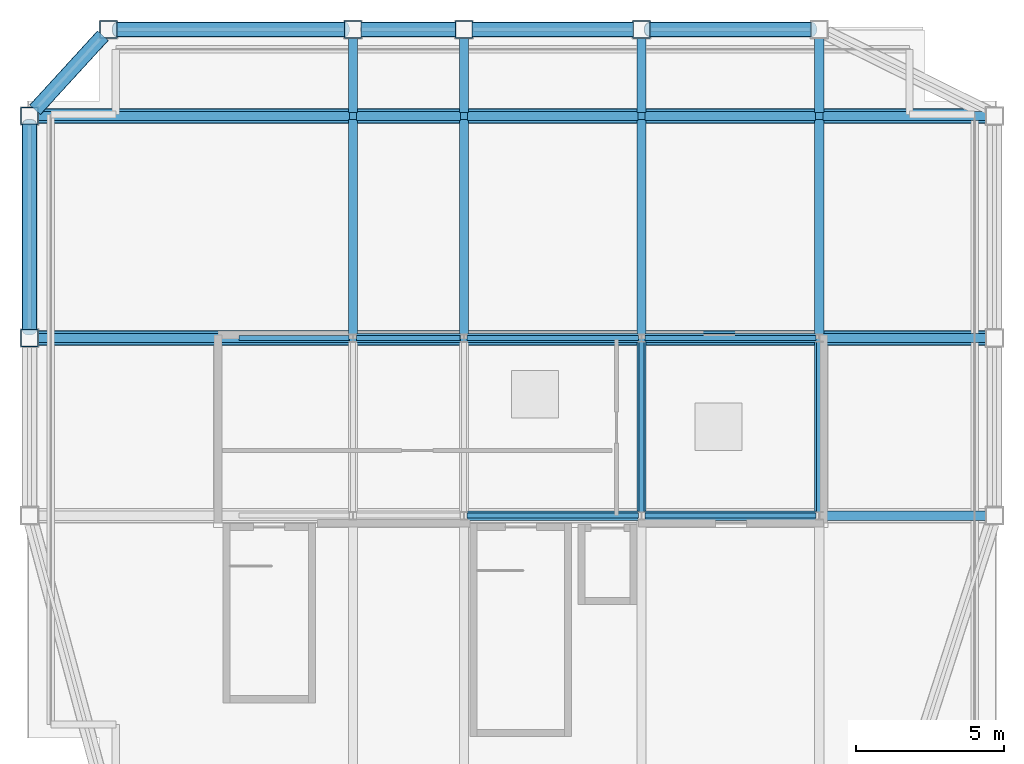
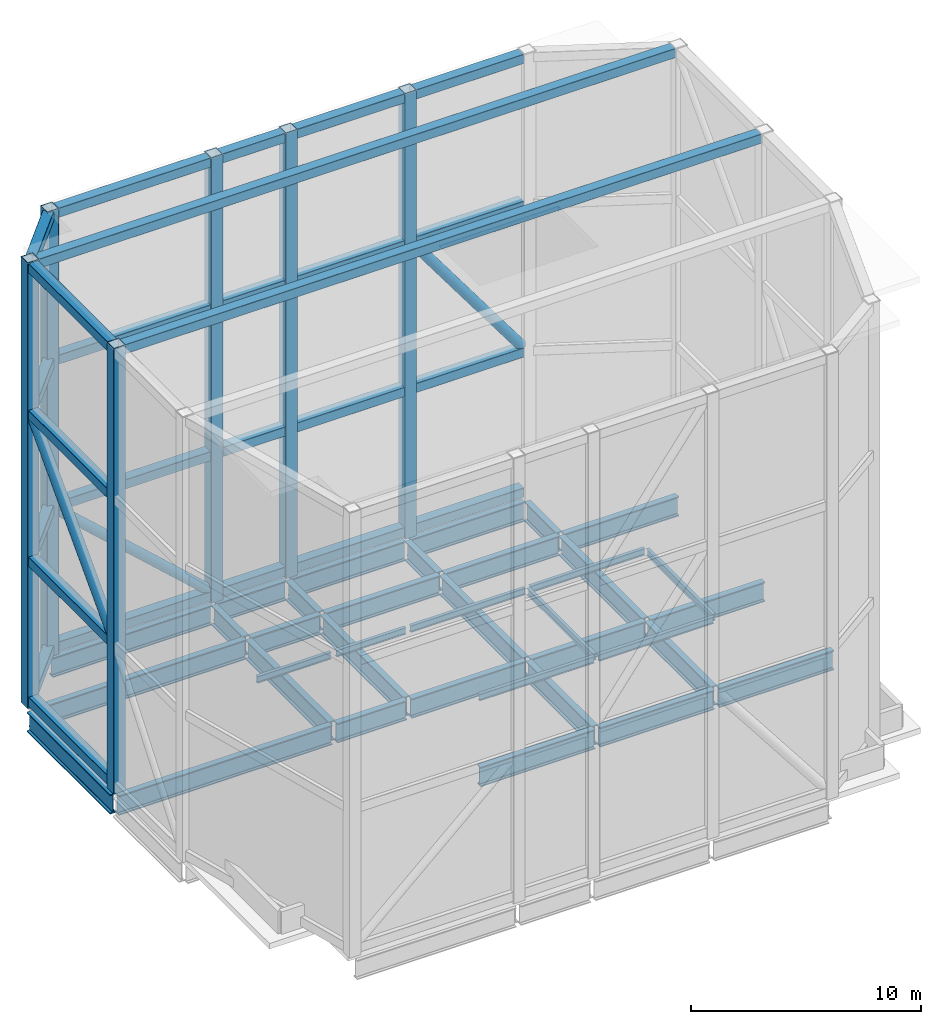
# One storey, part 2 of 6: 36 beams, 35 members.
"""IFC4 building model written with IfcOpenShell, lengths in metres."""

from ifc_helpers import new_model, si_unit, direction, frame, origin, origin_2d, place, context, subcontext, project, spatial, hollow_rectangle, hollow_circle, i_section, extrude, material, material_profile, profile_set, type_object, element, save


model = new_model("IFC4")

# Units and contexts
model_context = context("Model", 3, precision=1e-05, world=origin(), true_north=direction((0.0, 1.0)))
body_context = subcontext(model_context, "Body", "Model", "MODEL_VIEW")
ifc_project = project(units=[si_unit("LENGTHUNIT", "METRE"), si_unit("AREAUNIT", "SQUARE_METRE"), si_unit("VOLUMEUNIT", "CUBIC_METRE"), si_unit("PLANEANGLEUNIT", "RADIAN"), si_unit("MASSUNIT", "GRAM", prefix="KILO")], contexts=[model_context])

# Site, building, storey
site_placement = place(None, origin())
site = spatial("IfcSite", under=ifc_project, at=site_placement, CompositionType="ELEMENT")
building_placement = place(site_placement, origin())
building = spatial("IfcBuilding", under=site, at=building_placement, Name="Brevholm Reach", CompositionType="ELEMENT")
storey_placement = place(building_placement, frame((0.0, 0.0, 251.449951171875)))
storey = spatial("IfcBuildingStorey", under=building, at=storey_placement, Name="RF", CompositionType="ELEMENT", Elevation=251.449951171875)

# Beams
ifc_material_1 = material(Name="Structural Steel S355J2", Category="steel")
ifc_material_profile_1 = material_profile(ifc_material_1, i_section(OverallWidth=0.17138671875, OverallDepth=0.35498046875, WebThickness=0.00732421875, FlangeThickness=0.011474609375, FilletRadius=0.01025390625, at=origin_2d()), Name="UKB 356x171x51")
ifc_profile_set_1 = profile_set([ifc_material_profile_1], Name="Structural Steel S355J2")
beam_type_1 = type_object("IfcBeamType", Name="BM-B356", PredefinedType="BEAM", material=ifc_profile_set_1)
for number, where, z_axis, x_axis, name in (
    (1, (42.110107421875, 10.0, 3.362548828125), (1.0, 0.0, 0.0), (0.0, 1.0, 0.0), "RF Rooftop Plant House Roof Beam"),
    (2, (48.110107421875, 10.0, 3.362548828125), (1.0, 0.0, 0.0), (0.0, 1.0, 0.0), "RF Rooftop Plant House Roof Beam"),
):
    element("IfcBeam", number, at=place(storey_placement, frame(where, z_axis=z_axis, x_axis=x_axis)), inside=storey, type_object=beam_type_1, Name=name, PredefinedType="BEAM", context=body_context, shape_type="SweptSolid", body=[
        extrude(i_section(OverallWidth=0.17138671875, OverallDepth=0.35498046875, WebThickness=0.00732421875, FlangeThickness=0.011474609375, FilletRadius=0.01025390625, at=origin_2d()), origin(), (0.0, 0.0, 1.0), 5.77978515625),
    ])
beam_1_placement = place(storey_placement, frame((34.39990234375, 16.0, 3.362548828125), z_axis=(1.0, 0.0, 0.0), x_axis=(0.0, 1.0, 0.0)))
element("IfcBeam", 3, at=beam_1_placement, inside=storey, type_object=beam_type_1, Name="RF Rooftop Plant House Roof Beam", PredefinedType="BEAM", context=body_context, shape_type="SweptSolid", body=[
    extrude(i_section(OverallWidth=0.17138671875, OverallDepth=0.35498046875, WebThickness=0.00732421875, FlangeThickness=0.011474609375, FilletRadius=0.01025390625, at=origin_2d()), origin(), (0.0, 0.0, 1.0), 3.72021484375),
])
beam_2_placement = place(storey_placement, frame((38.3798828125, 16.0, 3.362548828125), z_axis=(1.0, 0.0, 0.0), x_axis=(0.0, 1.0, 0.0)))
element("IfcBeam", 4, at=beam_2_placement, inside=storey, type_object=beam_type_1, Name="RF Rooftop Plant House Roof Beam", PredefinedType="BEAM", context=body_context, shape_type="SweptSolid", body=[
    extrude(i_section(OverallWidth=0.17138671875, OverallDepth=0.35498046875, WebThickness=0.00732421875, FlangeThickness=0.011474609375, FilletRadius=0.01025390625, at=origin_2d()), origin(), (0.0, 0.0, 1.0), 3.490234375),
])
for number, where, z_axis, x_axis, name in (
    (5, (42.110107421875, 16.0, 3.362548828125), (1.0, 0.0, 0.0), (0.0, 1.0, 0.0), "RF Rooftop Plant House Roof Beam"),
    (6, (48.110107421875, 16.0, 3.362548828125), (1.0, 0.0, 0.0), (0.0, 1.0, 0.0), "RF Rooftop Plant House Roof Beam"),
    (7, (48.0, 10.110107421875, 3.362548828125), (0.0, 1.0, 0.0), (-1.0, 0.0, 0.0), "RF Rooftop Plant House Transverse Beam"),
    (8, (54.0, 10.110107421875, 3.362548828125), (0.0, 1.0, 0.0), (-1.0, 0.0, 0.0), "RF Rooftop Plant House Transverse Beam"),
):
    element("IfcBeam", number, at=place(storey_placement, frame(where, z_axis=z_axis, x_axis=x_axis)), inside=storey, type_object=beam_type_1, Name=name, PredefinedType="BEAM", context=body_context, shape_type="SweptSolid", body=[
        extrude(i_section(OverallWidth=0.17138671875, OverallDepth=0.35498046875, WebThickness=0.00732421875, FlangeThickness=0.011474609375, FilletRadius=0.01025390625, at=origin_2d()), origin(), (0.0, 0.0, 1.0), 5.77978515625),
    ])
ifc_material_2 = material(Name="Structural Steel S460ML", Category="steel")
ifc_material_profile_2 = material_profile(ifc_material_2, i_section(OverallWidth=0.30859375, OverallDepth=1.036376953125, WebThickness=0.030029296875, FlangeThickness=0.05419921875, FilletRadius=0.030029296875, at=origin_2d()), Name="UKB 1016x305x487")
ifc_profile_set_2 = profile_set([ifc_material_profile_2], Name="Structural Steel S460ML")
beam_type_2 = type_object("IfcBeamType", Name="BM-UKB1016", PredefinedType="USERDEFINED", material=ifc_profile_set_2)
for number, where, z_axis, x_axis, name in (
    (9, (42.1201171875, 10.0, -0.818115234375), (1.0, 0.0, 0.0), (0.0, 1.0, 0.0), "RF G-01 Framing Beam"),
    (10, (48.1201171875, 10.0, -0.818115234375), (1.0, 0.0, 0.0), (0.0, 1.0, 0.0), "RF G-01 Framing Beam"),
    (11, (54.1201171875, 10.0, -0.818115234375), (1.0, 0.0, 0.0), (0.0, 1.0, 0.0), "RF G-01 Framing Beam"),
):
    element("IfcBeam", number, at=place(storey_placement, frame(where, z_axis=z_axis, x_axis=x_axis)), inside=storey, type_object=beam_type_2, Name=name, ObjectType="GIRDER", PredefinedType="USERDEFINED", context=body_context, shape_type="SweptSolid", body=[
        extrude(i_section(OverallWidth=0.30859375, OverallDepth=1.036376953125, WebThickness=0.030029296875, FlangeThickness=0.05419921875, FilletRadius=0.030029296875, at=origin_2d()), origin(), (0.0, 0.0, 1.0), 5.759765625),
    ])
beam_3_placement = place(storey_placement, frame((27.3701171875, 16.0, -0.818115234375), z_axis=(1.0, 0.0, 0.0), x_axis=(0.0, 1.0, 0.0)))
element("IfcBeam", 12, at=beam_3_placement, inside=storey, type_object=beam_type_2, Name="RF G-01 Framing Beam", ObjectType="GIRDER", PredefinedType="USERDEFINED", context=body_context, shape_type="SweptSolid", body=[
    extrude(i_section(OverallWidth=0.30859375, OverallDepth=1.036376953125, WebThickness=0.030029296875, FlangeThickness=0.05419921875, FilletRadius=0.030029296875, at=origin_2d()), origin(), (0.0, 0.0, 1.0), 10.759765625),
])
beam_4_placement = place(storey_placement, frame((38.3701171875, 16.0, -0.818115234375), z_axis=(1.0, 0.0, 0.0), x_axis=(0.0, 1.0, 0.0)))
element("IfcBeam", 13, at=beam_4_placement, inside=storey, type_object=beam_type_2, Name="RF G-01 Framing Beam", ObjectType="GIRDER", PredefinedType="USERDEFINED", context=body_context, shape_type="SweptSolid", body=[
    extrude(i_section(OverallWidth=0.30859375, OverallDepth=1.036376953125, WebThickness=0.030029296875, FlangeThickness=0.05419921875, FilletRadius=0.030029296875, at=origin_2d()), origin(), (0.0, 0.0, 1.0), 3.509765625),
])
for number, where, z_axis, x_axis, name in (
    (14, (42.1201171875, 16.0, -0.818115234375), (1.0, 0.0, 0.0), (0.0, 1.0, 0.0), "RF G-01 Framing Beam"),
    (15, (48.1201171875, 16.0, -0.818115234375), (1.0, 0.0, 0.0), (0.0, 1.0, 0.0), "RF G-01 Framing Beam"),
    (16, (54.1201171875, 16.0, -0.818115234375), (1.0, 0.0, 0.0), (0.0, 1.0, 0.0), "RF G-01 Framing Beam"),
):
    element("IfcBeam", number, at=place(storey_placement, frame(where, z_axis=z_axis, x_axis=x_axis)), inside=storey, type_object=beam_type_2, Name=name, ObjectType="GIRDER", PredefinedType="USERDEFINED", context=body_context, shape_type="SweptSolid", body=[
        extrude(i_section(OverallWidth=0.30859375, OverallDepth=1.036376953125, WebThickness=0.030029296875, FlangeThickness=0.05419921875, FilletRadius=0.030029296875, at=origin_2d()), origin(), (0.0, 0.0, 1.0), 5.759765625),
    ])
beam_5_placement = place(storey_placement, frame((27.3701171875, 23.5, -0.818115234375), z_axis=(1.0, 0.0, 0.0), x_axis=(0.0, 1.0, 0.0)))
element("IfcBeam", 17, at=beam_5_placement, inside=storey, type_object=beam_type_2, Name="RF G-01 Framing Beam", ObjectType="GIRDER", PredefinedType="USERDEFINED", context=body_context, shape_type="SweptSolid", body=[
    extrude(i_section(OverallWidth=0.30859375, OverallDepth=1.036376953125, WebThickness=0.030029296875, FlangeThickness=0.05419921875, FilletRadius=0.030029296875, at=origin_2d()), origin(), (0.0, 0.0, 1.0), 10.759765625),
])
beam_6_placement = place(storey_placement, frame((38.3701171875, 23.5, -0.818115234375), z_axis=(1.0, 0.0, 0.0), x_axis=(0.0, 1.0, 0.0)))
element("IfcBeam", 18, at=beam_6_placement, inside=storey, type_object=beam_type_2, Name="RF G-01 Framing Beam", ObjectType="GIRDER", PredefinedType="USERDEFINED", context=body_context, shape_type="SweptSolid", body=[
    extrude(i_section(OverallWidth=0.30859375, OverallDepth=1.036376953125, WebThickness=0.030029296875, FlangeThickness=0.05419921875, FilletRadius=0.030029296875, at=origin_2d()), origin(), (0.0, 0.0, 1.0), 3.509765625),
])
for number, where, z_axis, x_axis, name in (
    (19, (42.1201171875, 23.5, -0.818115234375), (1.0, 0.0, 0.0), (0.0, 1.0, 0.0), "RF G-01 Framing Beam"),
    (20, (48.1201171875, 23.5, -0.818115234375), (1.0, 0.0, 0.0), (0.0, 1.0, 0.0), "RF G-01 Framing Beam"),
    (21, (54.1201171875, 23.5, -0.818115234375), (1.0, 0.0, 0.0), (0.0, 1.0, 0.0), "RF G-01 Framing Beam"),
):
    element("IfcBeam", number, at=place(storey_placement, frame(where, z_axis=z_axis, x_axis=x_axis)), inside=storey, type_object=beam_type_2, Name=name, ObjectType="GIRDER", PredefinedType="USERDEFINED", context=body_context, shape_type="SweptSolid", body=[
        extrude(i_section(OverallWidth=0.30859375, OverallDepth=1.036376953125, WebThickness=0.030029296875, FlangeThickness=0.05419921875, FilletRadius=0.030029296875, at=origin_2d()), origin(), (0.0, 0.0, 1.0), 5.759765625),
    ])
beam_7_placement = place(storey_placement, frame((30.1201171875, 26.5, -0.818115234375), z_axis=(1.0, 0.0, 0.0), x_axis=(0.0, 1.0, 0.0)))
element("IfcBeam", 22, at=beam_7_placement, inside=storey, type_object=beam_type_2, Name="RF G-01 Framing Beam", ObjectType="GIRDER", PredefinedType="USERDEFINED", context=body_context, shape_type="SweptSolid", body=[
    extrude(i_section(OverallWidth=0.30859375, OverallDepth=1.036376953125, WebThickness=0.030029296875, FlangeThickness=0.05419921875, FilletRadius=0.030029296875, at=origin_2d()), origin(), (0.0, 0.0, 1.0), 8.009765625),
])
beam_8_placement = place(storey_placement, frame((38.3701171875, 26.5, -0.818115234375), z_axis=(1.0, 0.0, 0.0), x_axis=(0.0, 1.0, 0.0)))
element("IfcBeam", 23, at=beam_8_placement, inside=storey, type_object=beam_type_2, Name="RF G-01 Framing Beam", ObjectType="GIRDER", PredefinedType="USERDEFINED", context=body_context, shape_type="SweptSolid", body=[
    extrude(i_section(OverallWidth=0.30859375, OverallDepth=1.036376953125, WebThickness=0.030029296875, FlangeThickness=0.05419921875, FilletRadius=0.030029296875, at=origin_2d()), origin(), (0.0, 0.0, 1.0), 3.509765625),
])
for number, where, z_axis, x_axis, name in (
    (24, (42.1201171875, 26.5, -0.818115234375), (1.0, 0.0, 0.0), (0.0, 1.0, 0.0), "RF G-01 Framing Beam"),
    (25, (48.1201171875, 26.5, -0.818115234375), (1.0, 0.0, 0.0), (0.0, 1.0, 0.0), "RF G-01 Framing Beam"),
):
    element("IfcBeam", number, at=place(storey_placement, frame(where, z_axis=z_axis, x_axis=x_axis)), inside=storey, type_object=beam_type_2, Name=name, ObjectType="GIRDER", PredefinedType="USERDEFINED", context=body_context, shape_type="SweptSolid", body=[
        extrude(i_section(OverallWidth=0.30859375, OverallDepth=1.036376953125, WebThickness=0.030029296875, FlangeThickness=0.05419921875, FilletRadius=0.030029296875, at=origin_2d()), origin(), (0.0, 0.0, 1.0), 5.759765625),
    ])
for number, where, z_axis, x_axis, name in (
    (26, (27.25, 16.1201171875, -0.818115234375), (0.0, 1.0, 0.0), (-1.0, 0.0, 0.0), "RF G-01 Framing Beam"),
    (27, (38.25, 16.1201171875, -0.818115234375), (0.0, 1.0, 0.0), (-1.0, 0.0, 0.0), "RF G-01 Framing Beam"),
):
    element("IfcBeam", number, at=place(storey_placement, frame(where, z_axis=z_axis, x_axis=x_axis)), inside=storey, type_object=beam_type_2, Name=name, ObjectType="GIRDER", PredefinedType="USERDEFINED", context=body_context, shape_type="SweptSolid", body=[
        extrude(i_section(OverallWidth=0.30859375, OverallDepth=1.036376953125, WebThickness=0.030029296875, FlangeThickness=0.05419921875, FilletRadius=0.030029296875, at=origin_2d()), origin(), (0.0, 0.0, 1.0), 7.259765625),
    ])
beam_9_placement = place(storey_placement, frame((38.25, 23.6201171875, -0.818115234375), z_axis=(0.0, 1.0, 0.0), x_axis=(-1.0, 0.0, 0.0)))
element("IfcBeam", 28, at=beam_9_placement, inside=storey, type_object=beam_type_2, Name="RF G-01 Framing Beam", ObjectType="GIRDER", PredefinedType="USERDEFINED", context=body_context, shape_type="SweptSolid", body=[
    extrude(i_section(OverallWidth=0.30859375, OverallDepth=1.036376953125, WebThickness=0.030029296875, FlangeThickness=0.05419921875, FilletRadius=0.030029296875, at=origin_2d()), origin(), (0.0, 0.0, 1.0), 2.759765625),
])
beam_10_placement = place(storey_placement, frame((42.0, 16.1201171875, -0.818115234375), z_axis=(0.0, 1.0, 0.0), x_axis=(-1.0, 0.0, 0.0)))
element("IfcBeam", 29, at=beam_10_placement, inside=storey, type_object=beam_type_2, Name="RF G-01 Framing Beam", ObjectType="GIRDER", PredefinedType="USERDEFINED", context=body_context, shape_type="SweptSolid", body=[
    extrude(i_section(OverallWidth=0.30859375, OverallDepth=1.036376953125, WebThickness=0.030029296875, FlangeThickness=0.05419921875, FilletRadius=0.030029296875, at=origin_2d()), origin(), (0.0, 0.0, 1.0), 7.259765625),
])
beam_11_placement = place(storey_placement, frame((42.0, 23.6201171875, -0.818115234375), z_axis=(0.0, 1.0, 0.0), x_axis=(-1.0, 0.0, 0.0)))
element("IfcBeam", 30, at=beam_11_placement, inside=storey, type_object=beam_type_2, Name="RF G-01 Framing Beam", ObjectType="GIRDER", PredefinedType="USERDEFINED", context=body_context, shape_type="SweptSolid", body=[
    extrude(i_section(OverallWidth=0.30859375, OverallDepth=1.036376953125, WebThickness=0.030029296875, FlangeThickness=0.05419921875, FilletRadius=0.030029296875, at=origin_2d()), origin(), (0.0, 0.0, 1.0), 2.759765625),
])
beam_12_placement = place(storey_placement, frame((48.0, 10.1201171875, -0.818115234375), z_axis=(0.0, 1.0, 0.0), x_axis=(-1.0, 0.0, 0.0)))
element("IfcBeam", 31, at=beam_12_placement, inside=storey, type_object=beam_type_2, Name="RF G-01 Framing Beam", ObjectType="GIRDER", PredefinedType="USERDEFINED", context=body_context, shape_type="SweptSolid", body=[
    extrude(i_section(OverallWidth=0.30859375, OverallDepth=1.036376953125, WebThickness=0.030029296875, FlangeThickness=0.05419921875, FilletRadius=0.030029296875, at=origin_2d()), origin(), (0.0, 0.0, 1.0), 5.759765625),
])
beam_13_placement = place(storey_placement, frame((48.0, 16.1201171875, -0.818115234375), z_axis=(0.0, 1.0, 0.0), x_axis=(-1.0, 0.0, 0.0)))
element("IfcBeam", 32, at=beam_13_placement, inside=storey, type_object=beam_type_2, Name="RF G-01 Framing Beam", ObjectType="GIRDER", PredefinedType="USERDEFINED", context=body_context, shape_type="SweptSolid", body=[
    extrude(i_section(OverallWidth=0.30859375, OverallDepth=1.036376953125, WebThickness=0.030029296875, FlangeThickness=0.05419921875, FilletRadius=0.030029296875, at=origin_2d()), origin(), (0.0, 0.0, 1.0), 7.259765625),
])
beam_14_placement = place(storey_placement, frame((48.0, 23.6201171875, -0.818115234375), z_axis=(0.0, 1.0, 0.0), x_axis=(-1.0, 0.0, 0.0)))
element("IfcBeam", 33, at=beam_14_placement, inside=storey, type_object=beam_type_2, Name="RF G-01 Framing Beam", ObjectType="GIRDER", PredefinedType="USERDEFINED", context=body_context, shape_type="SweptSolid", body=[
    extrude(i_section(OverallWidth=0.30859375, OverallDepth=1.036376953125, WebThickness=0.030029296875, FlangeThickness=0.05419921875, FilletRadius=0.030029296875, at=origin_2d()), origin(), (0.0, 0.0, 1.0), 2.759765625),
])
beam_15_placement = place(storey_placement, frame((54.0, 10.1201171875, -0.818115234375), z_axis=(0.0, 1.0, 0.0), x_axis=(-1.0, 0.0, 0.0)))
element("IfcBeam", 34, at=beam_15_placement, inside=storey, type_object=beam_type_2, Name="RF G-01 Framing Beam", ObjectType="GIRDER", PredefinedType="USERDEFINED", context=body_context, shape_type="SweptSolid", body=[
    extrude(i_section(OverallWidth=0.30859375, OverallDepth=1.036376953125, WebThickness=0.030029296875, FlangeThickness=0.05419921875, FilletRadius=0.030029296875, at=origin_2d()), origin(), (0.0, 0.0, 1.0), 5.759765625),
])
beam_16_placement = place(storey_placement, frame((54.0, 16.1201171875, -0.818115234375), z_axis=(0.0, 1.0, 0.0), x_axis=(-1.0, 0.0, 0.0)))
element("IfcBeam", 35, at=beam_16_placement, inside=storey, type_object=beam_type_2, Name="RF G-01 Framing Beam", ObjectType="GIRDER", PredefinedType="USERDEFINED", context=body_context, shape_type="SweptSolid", body=[
    extrude(i_section(OverallWidth=0.30859375, OverallDepth=1.036376953125, WebThickness=0.030029296875, FlangeThickness=0.05419921875, FilletRadius=0.030029296875, at=origin_2d()), origin(), (0.0, 0.0, 1.0), 7.259765625),
])
beam_17_placement = place(storey_placement, frame((54.0, 23.6201171875, -0.818115234375), z_axis=(0.0, 1.0, 0.0), x_axis=(-1.0, 0.0, 0.0)))
element("IfcBeam", 36, at=beam_17_placement, inside=storey, type_object=beam_type_2, Name="RF G-01 Framing Beam", ObjectType="GIRDER", PredefinedType="USERDEFINED", context=body_context, shape_type="SweptSolid", body=[
    extrude(i_section(OverallWidth=0.30859375, OverallDepth=1.036376953125, WebThickness=0.030029296875, FlangeThickness=0.05419921875, FilletRadius=0.030029296875, at=origin_2d()), origin(), (0.0, 0.0, 1.0), 2.759765625),
])

# Members
ifc_material_3 = material(Name="Structural Steel S460NH", Category="steel")
ifc_material_profile_3 = material_profile(ifc_material_3, hollow_circle(Radius=0.25390625, WallThickness=0.02490234375, at=origin_2d()), Name="CHS 508x25")
ifc_profile_set_3 = profile_set([ifc_material_profile_3], Name="Structural Steel S460NH")
member_type_1 = type_object("IfcMemberType", Name="CROWN FRAME Brace CHS 508", PredefinedType="BRACE", material=ifc_profile_set_3)
member_1_placement = place(storey_placement, frame((37.969970703125, 26.419921875, 0.580078125), z_axis=(-0.739981530171, 0.0, 0.672627188721), x_axis=(0.0, -1.0, 0.0)))
element("IfcMember", 37, at=member_1_placement, inside=storey, type_object=member_type_1, Name="CROWN FRAME Wind Brace CFB-09", PredefinedType="BRACE", context=body_context, shape_type="SweptSolid", body=[
    extrude(hollow_circle(Radius=0.25390625, WallThickness=0.02490234375, at=origin_2d()), origin(), (0.0, 0.0, 1.0), 10.39208984375),
])
member_2_placement = place(storey_placement, frame((53.719970703125, 26.419921875, 8.030029296875), z_axis=(-0.595428198484, 0.0, 0.803408526498), x_axis=(0.0, -1.0, 0.0)))
element("IfcMember", 38, at=member_2_placement, inside=storey, type_object=member_type_1, Name="CROWN FRAME Wind Brace CFB-10", PredefinedType="BRACE", context=body_context, shape_type="SweptSolid", body=[
    extrude(hollow_circle(Radius=0.25390625, WallThickness=0.02490234375, at=origin_2d()), origin(), (0.0, 0.0, 1.0), 9.13623046875),
])
member_3_placement = place(storey_placement, frame((27.330078125, 16.280029296875, 8.030029296875), z_axis=(0.0, 0.68702298369, 0.726635685803), x_axis=(-1.0, 0.0, 0.0)))
element("IfcMember", 39, at=member_3_placement, inside=storey, type_object=member_type_1, Name="CROWN FRAME Wind Brace CFB-12", PredefinedType="BRACE", context=body_context, shape_type="SweptSolid", body=[
    extrude(hollow_circle(Radius=0.25390625, WallThickness=0.02490234375, at=origin_2d()), origin(), (0.0, 0.0, 1.0), 10.1015625),
])
ifc_material_4 = material(Name="Structural Steel S460NH", Category="steel")
ifc_material_profile_4 = material_profile(ifc_material_4, hollow_rectangle(XDim=0.60009765625, YDim=0.60009765625, WallThickness=0.031982421875, InnerFilletRadius=0.011962890625, OuterFilletRadius=0.02392578125, at=origin_2d()), Name="SHS 600x600x32")
ifc_profile_set_4 = profile_set([ifc_material_profile_4], Name="Structural Steel S460NH")
member_type_2 = type_object("IfcMemberType", Name="CROWN FRAME Post SHS 600", PredefinedType="STRUT", material=ifc_profile_set_4)
for number, where, z_axis, x_axis, name in (
    (40, (48.0, 26.419921875, 0.0), (0.0, 0.0, 1.0), (1.0, 0.0, 0.0), "CROWN FRAME Vertical Post CFP-11"),
    (41, (42.0, 26.419921875, 0.0), (0.0, 0.0, 1.0), (1.0, 0.0, 0.0), "CROWN FRAME Vertical Post CFP-12"),
    (42, (38.25, 26.419921875, 0.0), (0.0, 0.0, 1.0), (1.0, 0.0, 0.0), "CROWN FRAME Vertical Post CFP-13"),
    (43, (30.0, 26.419921875, 0.0), (0.0, 0.0, 1.0), (1.0, 0.0, 0.0), "CROWN FRAME Vertical Post CFP-14"),
    (44, (27.330078125, 23.5, 0.0), (0.0, 0.0, 1.0), (1.0, 0.0, 0.0), "CROWN FRAME Vertical Post CFP-15"),
    (45, (27.330078125, 16.0, 0.0), (0.0, 0.0, 1.0), (1.0, 0.0, 0.0), "CROWN FRAME Vertical Post CFP-16"),
):
    element("IfcMember", number, at=place(storey_placement, frame(where, z_axis=z_axis, x_axis=x_axis)), inside=storey, type_object=member_type_2, Name=name, PredefinedType="STRUT", context=body_context, shape_type="SweptSolid", body=[
        extrude(hollow_rectangle(XDim=0.60009765625, YDim=0.60009765625, WallThickness=0.031982421875, InnerFilletRadius=0.011962890625, OuterFilletRadius=0.02392578125, at=origin_2d()), origin(), (0.0, 0.0, 1.0), 23.68994140625),
    ])
ifc_material_5 = material(Name="Structural Steel S460NH", Category="steel")
ifc_material_profile_5 = material_profile(ifc_material_5, hollow_rectangle(XDim=0.5, YDim=0.5, WallThickness=0.02490234375, InnerFilletRadius=0.011962890625, OuterFilletRadius=0.02392578125, at=origin_2d()), Name="SHS 500x500x25")
ifc_profile_set_5 = profile_set([ifc_material_profile_5], Name="Structural Steel S460NH")
member_type_3 = type_object("IfcMemberType", Name="CROWN FRAME Ring SHS 500", PredefinedType="CHORD", material=ifc_profile_set_5)
for number, where, z_axis, x_axis, name in (
    (46, (53.719970703125, 26.419921875, 0.35009765625), (-1.0, 0.0, 0.0), (0.0, -1.0, 0.0), "CROWN FRAME Ring Chord T0-10"),
    (47, (47.719970703125, 26.419921875, 0.35009765625), (-1.0, 0.0, 0.0), (0.0, -1.0, 0.0), "CROWN FRAME Ring Chord T0-11"),
):
    element("IfcMember", number, at=place(storey_placement, frame(where, z_axis=z_axis, x_axis=x_axis)), inside=storey, type_object=member_type_3, Name=name, PredefinedType="CHORD", context=body_context, shape_type="SweptSolid", body=[
        extrude(hollow_rectangle(XDim=0.5, YDim=0.5, WallThickness=0.02490234375, InnerFilletRadius=0.011962890625, OuterFilletRadius=0.02392578125, at=origin_2d()), origin(), (0.0, 0.0, 1.0), 5.43994140625),
    ])
member_4_placement = place(storey_placement, frame((41.719970703125, 26.419921875, 0.35009765625), z_axis=(-1.0, 0.0, 0.0), x_axis=(0.0, -1.0, 0.0)))
element("IfcMember", 48, at=member_4_placement, inside=storey, type_object=member_type_3, Name="CROWN FRAME Ring Chord T0-12", PredefinedType="CHORD", context=body_context, shape_type="SweptSolid", body=[
    extrude(hollow_rectangle(XDim=0.5, YDim=0.5, WallThickness=0.02490234375, InnerFilletRadius=0.011962890625, OuterFilletRadius=0.02392578125, at=origin_2d()), origin(), (0.0, 0.0, 1.0), 3.18994140625),
])
member_5_placement = place(storey_placement, frame((37.969970703125, 26.419921875, 0.35009765625), z_axis=(-1.0, 0.0, 0.0), x_axis=(0.0, -1.0, 0.0)))
element("IfcMember", 49, at=member_5_placement, inside=storey, type_object=member_type_3, Name="CROWN FRAME Ring Chord T0-13", PredefinedType="CHORD", context=body_context, shape_type="SweptSolid", body=[
    extrude(hollow_rectangle(XDim=0.5, YDim=0.5, WallThickness=0.02490234375, InnerFilletRadius=0.011962890625, OuterFilletRadius=0.02392578125, at=origin_2d()), origin(), (0.0, 0.0, 1.0), 7.68994140625),
])
member_6_placement = place(storey_placement, frame((29.81103515625, 26.21337890625, 0.35009765625), z_axis=(-0.674812820528, -0.737988927594, 0.0), x_axis=(0.737988927594, -0.674812820528, 0.0)))
element("IfcMember", 50, at=member_6_placement, inside=storey, type_object=member_type_3, Name="CROWN FRAME Ring Chord T0-14", PredefinedType="CHORD", context=body_context, shape_type="SweptSolid", body=[
    extrude(hollow_rectangle(XDim=0.5, YDim=0.5, WallThickness=0.02490234375, InnerFilletRadius=0.011962890625, OuterFilletRadius=0.02392578125, at=origin_2d()), origin(), (0.0, 0.0, 1.0), 3.396728515625),
])
member_7_placement = place(storey_placement, frame((27.330078125, 23.219970703125, 0.35009765625), z_axis=(0.0, -1.0, 0.0), x_axis=(1.0, 0.0, 0.0)))
element("IfcMember", 51, at=member_7_placement, inside=storey, type_object=member_type_3, Name="CROWN FRAME Ring Chord T0-15", PredefinedType="CHORD", context=body_context, shape_type="SweptSolid", body=[
    extrude(hollow_rectangle(XDim=0.5, YDim=0.5, WallThickness=0.02490234375, InnerFilletRadius=0.011962890625, OuterFilletRadius=0.02392578125, at=origin_2d()), origin(), (0.0, 0.0, 1.0), 6.93994140625),
])
for number, where, z_axis, x_axis, name in (
    (52, (53.719970703125, 26.419921875, 7.800048828125), (-1.0, 0.0, 0.0), (0.0, -1.0, 0.0), "CROWN FRAME Ring Chord T1-10"),
    (53, (47.719970703125, 26.419921875, 7.800048828125), (-1.0, 0.0, 0.0), (0.0, -1.0, 0.0), "CROWN FRAME Ring Chord T1-11"),
):
    element("IfcMember", number, at=place(storey_placement, frame(where, z_axis=z_axis, x_axis=x_axis)), inside=storey, type_object=member_type_3, Name=name, PredefinedType="CHORD", context=body_context, shape_type="SweptSolid", body=[
        extrude(hollow_rectangle(XDim=0.5, YDim=0.5, WallThickness=0.02490234375, InnerFilletRadius=0.011962890625, OuterFilletRadius=0.02392578125, at=origin_2d()), origin(), (0.0, 0.0, 1.0), 5.43994140625),
    ])
member_8_placement = place(storey_placement, frame((41.719970703125, 26.419921875, 7.800048828125), z_axis=(-1.0, 0.0, 0.0), x_axis=(0.0, -1.0, 0.0)))
element("IfcMember", 54, at=member_8_placement, inside=storey, type_object=member_type_3, Name="CROWN FRAME Ring Chord T1-12", PredefinedType="CHORD", context=body_context, shape_type="SweptSolid", body=[
    extrude(hollow_rectangle(XDim=0.5, YDim=0.5, WallThickness=0.02490234375, InnerFilletRadius=0.011962890625, OuterFilletRadius=0.02392578125, at=origin_2d()), origin(), (0.0, 0.0, 1.0), 3.18994140625),
])
member_9_placement = place(storey_placement, frame((37.969970703125, 26.419921875, 7.800048828125), z_axis=(-1.0, 0.0, 0.0), x_axis=(0.0, -1.0, 0.0)))
element("IfcMember", 55, at=member_9_placement, inside=storey, type_object=member_type_3, Name="CROWN FRAME Ring Chord T1-13", PredefinedType="CHORD", context=body_context, shape_type="SweptSolid", body=[
    extrude(hollow_rectangle(XDim=0.5, YDim=0.5, WallThickness=0.02490234375, InnerFilletRadius=0.011962890625, OuterFilletRadius=0.02392578125, at=origin_2d()), origin(), (0.0, 0.0, 1.0), 7.68994140625),
])
member_10_placement = place(storey_placement, frame((29.81103515625, 26.21337890625, 7.800048828125), z_axis=(-0.674812820528, -0.737988927594, 0.0), x_axis=(0.737988927594, -0.674812820528, 0.0)))
element("IfcMember", 56, at=member_10_placement, inside=storey, type_object=member_type_3, Name="CROWN FRAME Ring Chord T1-14", PredefinedType="CHORD", context=body_context, shape_type="SweptSolid", body=[
    extrude(hollow_rectangle(XDim=0.5, YDim=0.5, WallThickness=0.02490234375, InnerFilletRadius=0.011962890625, OuterFilletRadius=0.02392578125, at=origin_2d()), origin(), (0.0, 0.0, 1.0), 3.396728515625),
])
member_11_placement = place(storey_placement, frame((27.330078125, 23.219970703125, 7.800048828125), z_axis=(0.0, -1.0, 0.0), x_axis=(1.0, 0.0, 0.0)))
element("IfcMember", 57, at=member_11_placement, inside=storey, type_object=member_type_3, Name="CROWN FRAME Ring Chord T1-15", PredefinedType="CHORD", context=body_context, shape_type="SweptSolid", body=[
    extrude(hollow_rectangle(XDim=0.5, YDim=0.5, WallThickness=0.02490234375, InnerFilletRadius=0.011962890625, OuterFilletRadius=0.02392578125, at=origin_2d()), origin(), (0.0, 0.0, 1.0), 6.93994140625),
])
for number, where, z_axis, x_axis, name in (
    (58, (53.719970703125, 26.419921875, 15.60009765625), (-1.0, 0.0, 0.0), (0.0, -1.0, 0.0), "CROWN FRAME Ring Chord T2-10"),
    (59, (47.719970703125, 26.419921875, 15.60009765625), (-1.0, 0.0, 0.0), (0.0, -1.0, 0.0), "CROWN FRAME Ring Chord T2-11"),
):
    element("IfcMember", number, at=place(storey_placement, frame(where, z_axis=z_axis, x_axis=x_axis)), inside=storey, type_object=member_type_3, Name=name, PredefinedType="CHORD", context=body_context, shape_type="SweptSolid", body=[
        extrude(hollow_rectangle(XDim=0.5, YDim=0.5, WallThickness=0.02490234375, InnerFilletRadius=0.011962890625, OuterFilletRadius=0.02392578125, at=origin_2d()), origin(), (0.0, 0.0, 1.0), 5.43994140625),
    ])
member_12_placement = place(storey_placement, frame((41.719970703125, 26.419921875, 15.60009765625), z_axis=(-1.0, 0.0, 0.0), x_axis=(0.0, -1.0, 0.0)))
element("IfcMember", 60, at=member_12_placement, inside=storey, type_object=member_type_3, Name="CROWN FRAME Ring Chord T2-12", PredefinedType="CHORD", context=body_context, shape_type="SweptSolid", body=[
    extrude(hollow_rectangle(XDim=0.5, YDim=0.5, WallThickness=0.02490234375, InnerFilletRadius=0.011962890625, OuterFilletRadius=0.02392578125, at=origin_2d()), origin(), (0.0, 0.0, 1.0), 3.18994140625),
])
member_13_placement = place(storey_placement, frame((37.969970703125, 26.419921875, 15.60009765625), z_axis=(-1.0, 0.0, 0.0), x_axis=(0.0, -1.0, 0.0)))
element("IfcMember", 61, at=member_13_placement, inside=storey, type_object=member_type_3, Name="CROWN FRAME Ring Chord T2-13", PredefinedType="CHORD", context=body_context, shape_type="SweptSolid", body=[
    extrude(hollow_rectangle(XDim=0.5, YDim=0.5, WallThickness=0.02490234375, InnerFilletRadius=0.011962890625, OuterFilletRadius=0.02392578125, at=origin_2d()), origin(), (0.0, 0.0, 1.0), 7.68994140625),
])
member_14_placement = place(storey_placement, frame((29.81103515625, 26.21337890625, 15.60009765625), z_axis=(-0.674812820528, -0.737988927594, 0.0), x_axis=(0.737988927594, -0.674812820528, 0.0)))
element("IfcMember", 62, at=member_14_placement, inside=storey, type_object=member_type_3, Name="CROWN FRAME Ring Chord T2-14", PredefinedType="CHORD", context=body_context, shape_type="SweptSolid", body=[
    extrude(hollow_rectangle(XDim=0.5, YDim=0.5, WallThickness=0.02490234375, InnerFilletRadius=0.011962890625, OuterFilletRadius=0.02392578125, at=origin_2d()), origin(), (0.0, 0.0, 1.0), 3.396728515625),
])
member_15_placement = place(storey_placement, frame((27.330078125, 23.219970703125, 15.60009765625), z_axis=(0.0, -1.0, 0.0), x_axis=(1.0, 0.0, 0.0)))
element("IfcMember", 63, at=member_15_placement, inside=storey, type_object=member_type_3, Name="CROWN FRAME Ring Chord T2-15", PredefinedType="CHORD", context=body_context, shape_type="SweptSolid", body=[
    extrude(hollow_rectangle(XDim=0.5, YDim=0.5, WallThickness=0.02490234375, InnerFilletRadius=0.011962890625, OuterFilletRadius=0.02392578125, at=origin_2d()), origin(), (0.0, 0.0, 1.0), 6.93994140625),
])
for number, where, z_axis, x_axis, name in (
    (64, (53.719970703125, 26.419921875, 23.41015625), (-1.0, 0.0, 0.0), (0.0, -1.0, 0.0), "CROWN FRAME Ring Chord T3-10"),
    (65, (47.719970703125, 26.419921875, 23.41015625), (-1.0, 0.0, 0.0), (0.0, -1.0, 0.0), "CROWN FRAME Ring Chord T3-11"),
):
    element("IfcMember", number, at=place(storey_placement, frame(where, z_axis=z_axis, x_axis=x_axis)), inside=storey, type_object=member_type_3, Name=name, PredefinedType="CHORD", context=body_context, shape_type="SweptSolid", body=[
        extrude(hollow_rectangle(XDim=0.5, YDim=0.5, WallThickness=0.02490234375, InnerFilletRadius=0.011962890625, OuterFilletRadius=0.02392578125, at=origin_2d()), origin(), (0.0, 0.0, 1.0), 5.43994140625),
    ])
member_16_placement = place(storey_placement, frame((41.719970703125, 26.419921875, 23.41015625), z_axis=(-1.0, 0.0, 0.0), x_axis=(0.0, -1.0, 0.0)))
element("IfcMember", 66, at=member_16_placement, inside=storey, type_object=member_type_3, Name="CROWN FRAME Ring Chord T3-12", PredefinedType="CHORD", context=body_context, shape_type="SweptSolid", body=[
    extrude(hollow_rectangle(XDim=0.5, YDim=0.5, WallThickness=0.02490234375, InnerFilletRadius=0.011962890625, OuterFilletRadius=0.02392578125, at=origin_2d()), origin(), (0.0, 0.0, 1.0), 3.18994140625),
])
member_17_placement = place(storey_placement, frame((37.969970703125, 26.419921875, 23.41015625), z_axis=(-1.0, 0.0, 0.0), x_axis=(0.0, -1.0, 0.0)))
element("IfcMember", 67, at=member_17_placement, inside=storey, type_object=member_type_3, Name="CROWN FRAME Ring Chord T3-13", PredefinedType="CHORD", context=body_context, shape_type="SweptSolid", body=[
    extrude(hollow_rectangle(XDim=0.5, YDim=0.5, WallThickness=0.02490234375, InnerFilletRadius=0.011962890625, OuterFilletRadius=0.02392578125, at=origin_2d()), origin(), (0.0, 0.0, 1.0), 7.68994140625),
])
member_18_placement = place(storey_placement, frame((29.81103515625, 26.21337890625, 23.41015625), z_axis=(-0.674812820528, -0.737988927594, 0.0), x_axis=(0.737988927594, -0.674812820528, 0.0)))
element("IfcMember", 68, at=member_18_placement, inside=storey, type_object=member_type_3, Name="CROWN FRAME Ring Chord T3-14", PredefinedType="CHORD", context=body_context, shape_type="SweptSolid", body=[
    extrude(hollow_rectangle(XDim=0.5, YDim=0.5, WallThickness=0.02490234375, InnerFilletRadius=0.011962890625, OuterFilletRadius=0.02392578125, at=origin_2d()), origin(), (0.0, 0.0, 1.0), 3.396728515625),
])
member_19_placement = place(storey_placement, frame((27.330078125, 23.219970703125, 23.41015625), z_axis=(0.0, -1.0, 0.0), x_axis=(1.0, 0.0, 0.0)))
element("IfcMember", 69, at=member_19_placement, inside=storey, type_object=member_type_3, Name="CROWN FRAME Ring Chord T3-15", PredefinedType="CHORD", context=body_context, shape_type="SweptSolid", body=[
    extrude(hollow_rectangle(XDim=0.5, YDim=0.5, WallThickness=0.02490234375, InnerFilletRadius=0.011962890625, OuterFilletRadius=0.02392578125, at=origin_2d()), origin(), (0.0, 0.0, 1.0), 6.93994140625),
])
for number, where, z_axis, x_axis, name in (
    (70, (27.610107421875, 16.0, 23.41015625), (1.0, 0.0, 0.0), (0.0, 1.0, 0.0), "CROWN FRAME Roof Support Tie 2"),
    (71, (27.610107421875, 23.5, 23.41015625), (1.0, 0.0, 0.0), (0.0, 1.0, 0.0), "CROWN FRAME Roof Support Tie 3"),
):
    element("IfcMember", number, at=place(storey_placement, frame(where, z_axis=z_axis, x_axis=x_axis)), inside=storey, type_object=member_type_3, Name=name, PredefinedType="CHORD", context=body_context, shape_type="SweptSolid", body=[
        extrude(hollow_rectangle(XDim=0.5, YDim=0.5, WallThickness=0.02490234375, InnerFilletRadius=0.011962890625, OuterFilletRadius=0.02392578125, at=origin_2d()), origin(), (0.0, 0.0, 1.0), 32.02978515625),
    ])

save(model, "model.ifc")
